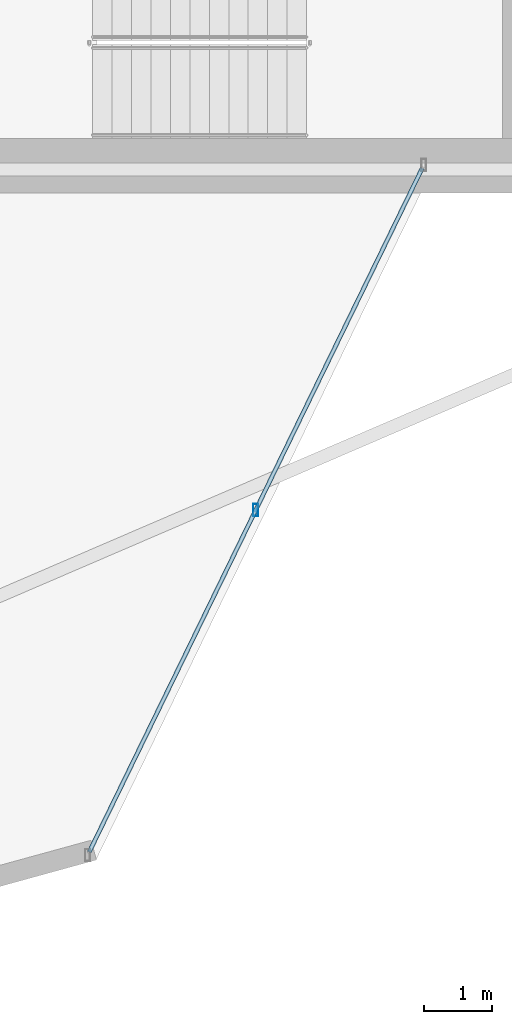
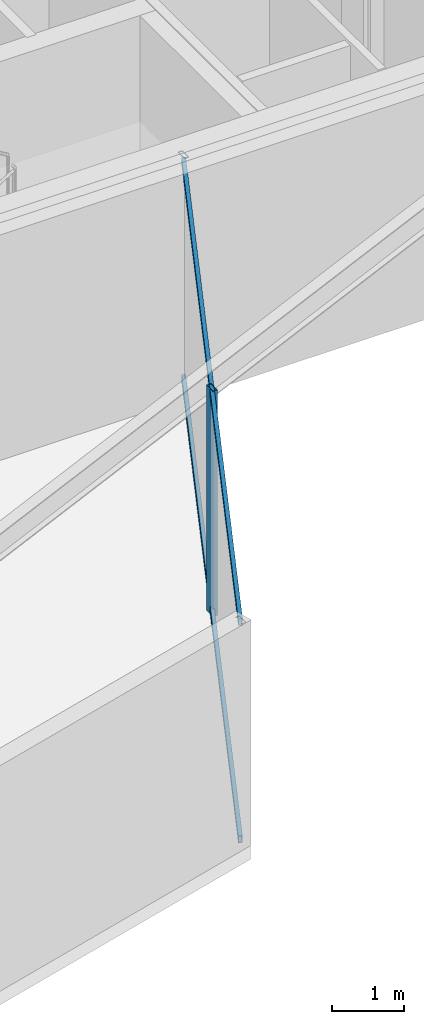
# One storey, part 11 of 25: 3 members, 1 element without a shape of its own.
"""IFC4 building model written with IfcOpenShell, lengths in metres."""

from ifc_helpers import new_model, si_unit, direction, frame, origin, origin_2d, place, context, subcontext, project, spatial, hollow_rectangle, extrude, material, layer, layer_set, material_profile, profile_set, type_object, element, aggregate, save


model = new_model("IFC4")

# Units and contexts
model_context = context("Model", 3, precision=1e-05, world=origin(), true_north=direction((0.0, 1.0)))
body_context = subcontext(model_context, "Body", "Model", "MODEL_VIEW")
ifc_project = project(units=[si_unit("LENGTHUNIT", "METRE"), si_unit("AREAUNIT", "SQUARE_METRE"), si_unit("VOLUMEUNIT", "CUBIC_METRE"), si_unit("PLANEANGLEUNIT", "RADIAN"), si_unit("MASSUNIT", "GRAM", prefix="KILO")], contexts=[model_context])

# Site, building, storey
site_placement = place(None, origin())
site = spatial("IfcSite", under=ifc_project, at=site_placement, CompositionType="ELEMENT")
building_placement = place(site_placement, origin())
building = spatial("IfcBuilding", under=site, at=building_placement, Name="Veymaron Broadcast Tower", CompositionType="ELEMENT")
storey_placement = place(building_placement, frame((0.0, 0.0, 116.85009765625)))
storey = spatial("IfcBuildingStorey", under=building, at=storey_placement, Name="L26", CompositionType="ELEMENT", Elevation=116.85009765625)

# Curtain wall, members
ifc_material_1 = material(Name="Anodised aluminium AA 6063-T6 and laminated low-E dark glass", Category="aluminium")
ifc_layer = layer(ifc_material_1, 0.179931640625)
ifc_layer_set = layer_set([ifc_layer], Name="Anodised aluminium AA 6063-T6 and laminated low-E dark glass")
curtain_wall_type = type_object("IfcCurtainWallType", Name="CW-SYS-03", PredefinedType="NOTDEFINED", material=ifc_layer_set)
curtain_wall_placement = place(storey_placement, origin())
curtain_wall = element("IfcCurtainWall", 1, at=curtain_wall_placement, inside=storey, type_object=curtain_wall_type, Name="L26 dark-glass curtain wall CW-L26-E20-1", PredefinedType="NOTDEFINED")
ifc_material_2 = material(Name="Anodised aluminium AA 6063-T6", Category="aluminium")
ifc_material_profile_1 = material_profile(ifc_material_2, hollow_rectangle(XDim=0.074951171875, YDim=0.179931640625, WallThickness=0.0048828125, at=origin_2d()), Name="AL180X75X5")
ifc_profile_set_1 = profile_set([ifc_material_profile_1], Name="Anodised aluminium AA 6063-T6")
member_type_1 = type_object("IfcMemberType", Name="CW-MUL-02", PredefinedType="MULLION", material=ifc_profile_set_1)
member_1_placement = place(storey_placement, frame((43.8203125, 11.001220703125, 0.0), z_axis=(0.0, 0.0, 1.0), x_axis=(1.0, 0.0, 0.0)))
member_1 = element("IfcMember", 2, at=member_1_placement, type_object=member_type_1, Name="CW-L26-E20-1 mullion 1", PredefinedType="MULLION", context=body_context, shape_type="SweptSolid", body=[
    extrude(hollow_rectangle(XDim=0.074951171875, YDim=0.179931640625, WallThickness=0.0048828125, at=origin_2d()), origin(), (0.0, 0.0, 1.0), 3.809814453125),
])
ifc_material_profile_2 = material_profile(ifc_material_2, hollow_rectangle(XDim=0.06005859375, YDim=0.1201171875, WallThickness=0.00390625, at=origin_2d()), Name="AL120X60X4")
ifc_profile_set_2 = profile_set([ifc_material_profile_2], Name="Anodised aluminium AA 6063-T6")
member_type_2 = type_object("IfcMemberType", Name="CW-TRN-02", PredefinedType="USERDEFINED", material=ifc_profile_set_2)
member_2_placement = place(storey_placement, frame((41.378173828125, 5.986328125, 0.06982421875), z_axis=(0.43783155642, 0.899057021663, 0.0), x_axis=(-0.899057021663, 0.43783155642, 0.0)))
member_2 = element("IfcMember", 3, at=member_2_placement, type_object=member_type_2, Name="CW-L26-E20-1 transom B", ObjectType="TRANSOM", PredefinedType="USERDEFINED", context=body_context, shape_type="SweptSolid", body=[
    extrude(hollow_rectangle(XDim=0.06005859375, YDim=0.1201171875, WallThickness=0.00390625, at=origin_2d()), origin(), (0.0, 0.0, 1.0), 11.15625),
])
member_3_placement = place(storey_placement, frame((41.378173828125, 5.986328125, 3.739990234375), z_axis=(0.43783155642, 0.899057021663, 0.0), x_axis=(-0.899057021663, 0.43783155642, 0.0)))
member_3 = element("IfcMember", 4, at=member_3_placement, type_object=member_type_2, Name="CW-L26-E20-1 transom T", ObjectType="TRANSOM", PredefinedType="USERDEFINED", context=body_context, shape_type="SweptSolid", body=[
    extrude(hollow_rectangle(XDim=0.06005859375, YDim=0.1201171875, WallThickness=0.00390625, at=origin_2d()), origin(), (0.0, 0.0, 1.0), 11.15625),
])
aggregate(curtain_wall, [member_1, member_2, member_3])

save(model, "model.ifc")
